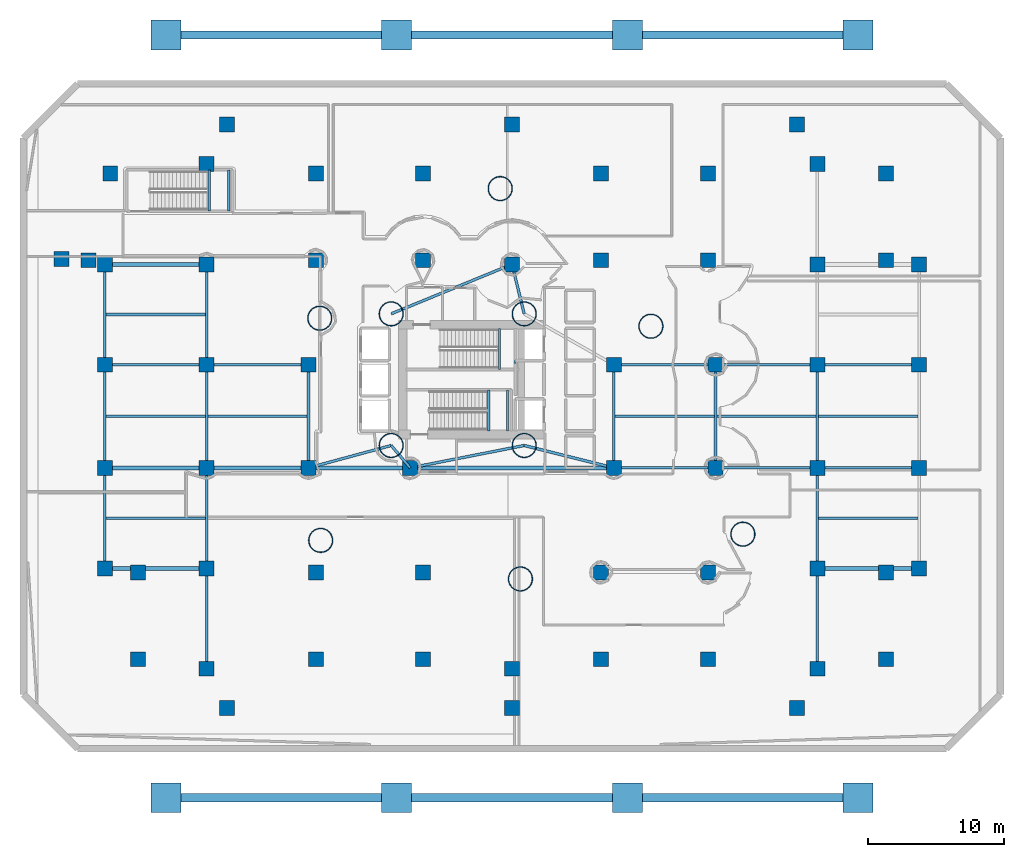
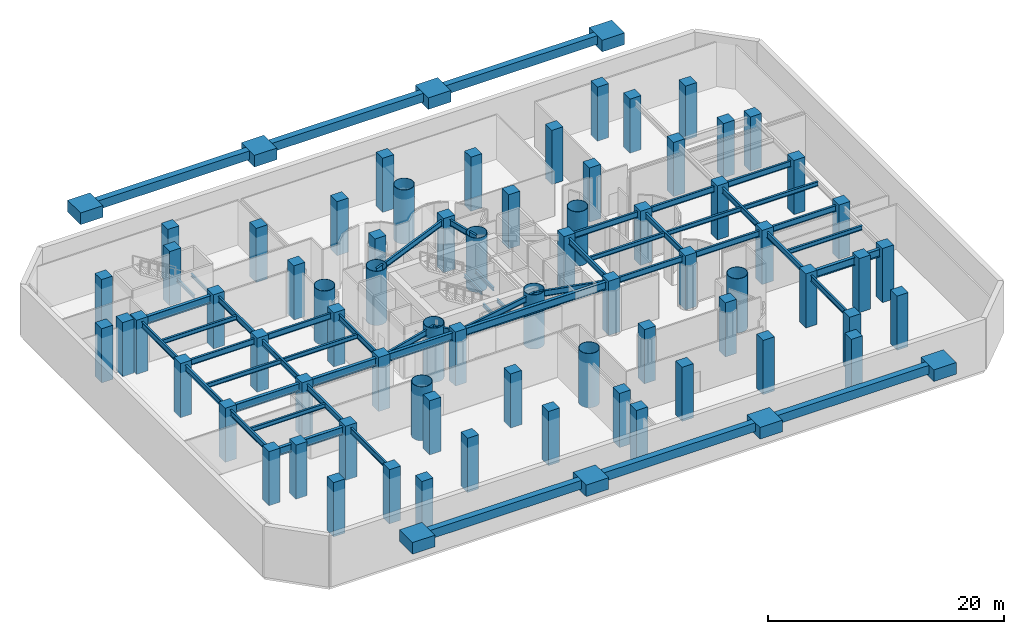
# One storey, part 1 of 11: 70 columns, 48 beams, 14 footings.
"""IFC4 building model written with IfcOpenShell, lengths in metres."""

from ifc_helpers import new_model, si_unit, direction, frame, origin, origin_2d, place, context, subcontext, project, spatial, polyline, rectangle, hollow_circle, i_section, outline, extrude, material, material_profile, profile_set, type_object, element, save


model = new_model("IFC4")

# Units and contexts
model_context = context("Model", 3, precision=1e-05, world=origin(), true_north=direction((0.0, 1.0)))
body_context = subcontext(model_context, "Body", "Model", "MODEL_VIEW")
ifc_project = project(units=[si_unit("LENGTHUNIT", "METRE"), si_unit("AREAUNIT", "SQUARE_METRE"), si_unit("VOLUMEUNIT", "CUBIC_METRE"), si_unit("PLANEANGLEUNIT", "RADIAN"), si_unit("MASSUNIT", "GRAM", prefix="KILO")], contexts=[model_context])

# Site, building, storey
site_placement = place(None, origin())
site = spatial("IfcSite", under=ifc_project, at=site_placement, CompositionType="ELEMENT")
building_placement = place(site_placement, origin())
building = spatial("IfcBuilding", under=site, at=building_placement, Name="Qianvela Tower", CompositionType="ELEMENT")
storey_placement = place(building_placement, frame((0.0, 0.0, -5.60009765625)))
storey = spatial("IfcBuildingStorey", under=building, at=storey_placement, Name="B01", CompositionType="ELEMENT", Elevation=-5.60009765625)

# Footings
ifc_material_1 = material(Name="Concrete C50", Category="concrete")
footing_type_1 = type_object("IfcFootingType", Name="FT-GB-600x900", PredefinedType="FOOTING_BEAM", material=ifc_material_1)
footing_1_placement = place(storey_placement, frame((0.0, 0.0, 4.5)))
element("IfcFooting", 1, at=footing_1_placement, inside=storey, type_object=footing_type_1, Name="B01 Continuous Forecourt Ground Beam S1", PredefinedType="FOOTING_BEAM", context=body_context, shape_type="SweptSolid", body=[
    extrude(outline(polyline([(13.10009765625, -2.39990234375), (27.89990234375, -2.39990234375), (27.89990234375, -1.800048828125), (13.10009765625, -1.800048828125), (13.10009765625, -2.39990234375)])), origin(), (0.0, 0.0, 1.0), 0.900146484375),
])
footing_2_placement = place(storey_placement, frame((0.0, 0.0, 4.5)))
element("IfcFooting", 2, at=footing_2_placement, inside=storey, type_object=footing_type_1, Name="B01 Continuous Forecourt Ground Beam S2", PredefinedType="FOOTING_BEAM", context=body_context, shape_type="SweptSolid", body=[
    extrude(outline(polyline([(30.10009765625, -2.39990234375), (44.89990234375, -2.39990234375), (44.89990234375, -1.800048828125), (30.10009765625, -1.800048828125), (30.10009765625, -2.39990234375)])), origin(), (0.0, 0.0, 1.0), 0.900146484375),
])
footing_3_placement = place(storey_placement, frame((0.0, 0.0, 4.5)))
element("IfcFooting", 3, at=footing_3_placement, inside=storey, type_object=footing_type_1, Name="B01 Continuous Forecourt Ground Beam S3", PredefinedType="FOOTING_BEAM", context=body_context, shape_type="SweptSolid", body=[
    extrude(outline(polyline([(47.10009765625, -2.39990234375), (61.89990234375, -2.39990234375), (61.89990234375, -1.800048828125), (47.10009765625, -1.800048828125), (47.10009765625, -2.39990234375)])), origin(), (0.0, 0.0, 1.0), 0.900146484375),
])
footing_4_placement = place(storey_placement, frame((0.0, 0.0, 4.5)))
element("IfcFooting", 4, at=footing_4_placement, inside=storey, type_object=footing_type_1, Name="B01 Continuous Forecourt Ground Beam N1", PredefinedType="FOOTING_BEAM", context=body_context, shape_type="SweptSolid", body=[
    extrude(outline(polyline([(13.10009765625, 53.800048828125), (27.89990234375, 53.800048828125), (27.89990234375, 54.39990234375), (13.10009765625, 54.39990234375), (13.10009765625, 53.800048828125)])), origin(), (0.0, 0.0, 1.0), 0.900146484375),
])
footing_5_placement = place(storey_placement, frame((0.0, 0.0, 4.5)))
element("IfcFooting", 5, at=footing_5_placement, inside=storey, type_object=footing_type_1, Name="B01 Continuous Forecourt Ground Beam N2", PredefinedType="FOOTING_BEAM", context=body_context, shape_type="SweptSolid", body=[
    extrude(outline(polyline([(30.10009765625, 53.800048828125), (44.89990234375, 53.800048828125), (44.89990234375, 54.39990234375), (30.10009765625, 54.39990234375), (30.10009765625, 53.800048828125)])), origin(), (0.0, 0.0, 1.0), 0.900146484375),
])
footing_6_placement = place(storey_placement, frame((0.0, 0.0, 4.5)))
element("IfcFooting", 6, at=footing_6_placement, inside=storey, type_object=footing_type_1, Name="B01 Continuous Forecourt Ground Beam N3", PredefinedType="FOOTING_BEAM", context=body_context, shape_type="SweptSolid", body=[
    extrude(outline(polyline([(47.10009765625, 53.800048828125), (61.89990234375, 53.800048828125), (61.89990234375, 54.39990234375), (47.10009765625, 54.39990234375), (47.10009765625, 53.800048828125)])), origin(), (0.0, 0.0, 1.0), 0.900146484375),
])
ifc_material_2 = material(Name="Concrete C50", Category="concrete")
footing_type_2 = type_object("IfcFootingType", Name="FT-PAD-2200", PredefinedType="PAD_FOOTING", material=ifc_material_2)
for number, where, z_axis, x_axis, name in (
    (7, (12.0, -2.10009765625, 4.2001953125), (0.0, 0.0, 1.0), (1.0, 0.0, 0.0), "B01 Concourse Forecourt Pad Footing S1"),
    (8, (29.0, -2.10009765625, 4.2001953125), (0.0, 0.0, 1.0), (1.0, 0.0, 0.0), "B01 Concourse Forecourt Pad Footing S2"),
    (9, (46.0, -2.10009765625, 4.2001953125), (0.0, 0.0, 1.0), (1.0, 0.0, 0.0), "B01 Concourse Forecourt Pad Footing S3"),
    (10, (63.0, -2.10009765625, 4.2001953125), (0.0, 0.0, 1.0), (1.0, 0.0, 0.0), "B01 Concourse Forecourt Pad Footing S4"),
    (11, (12.0, 54.10009765625, 4.2001953125), (0.0, 0.0, 1.0), (1.0, 0.0, 0.0), "B01 Concourse Forecourt Pad Footing N1"),
    (12, (29.0, 54.10009765625, 4.2001953125), (0.0, 0.0, 1.0), (1.0, 0.0, 0.0), "B01 Concourse Forecourt Pad Footing N2"),
    (13, (46.0, 54.10009765625, 4.2001953125), (0.0, 0.0, 1.0), (1.0, 0.0, 0.0), "B01 Concourse Forecourt Pad Footing N3"),
    (14, (63.0, 54.10009765625, 4.2001953125), (0.0, 0.0, 1.0), (1.0, 0.0, 0.0), "B01 Concourse Forecourt Pad Footing N4"),
):
    element("IfcFooting", number, at=place(storey_placement, frame(where, z_axis=z_axis, x_axis=x_axis)), inside=storey, type_object=footing_type_2, Name=name, PredefinedType="PAD_FOOTING", context=body_context, shape_type="SweptSolid", body=[
        extrude(rectangle(XDim=2.199951171875, YDim=2.199951171875, at=origin_2d()), origin(), (0.0, 0.0, 1.0), 1.199951171875),
    ])

# Columns
ifc_material_3 = material(Name="Steel Q420GJC", Category="steel")
ifc_material_profile_1 = material_profile(ifc_material_3, hollow_circle(Radius=0.89990234375, WallThickness=0.044921875, at=origin_2d()), Name="CFT-1800x45")
ifc_profile_set_1 = profile_set([ifc_material_profile_1], Name="Steel Q420GJC")
column_type_1 = type_object("IfcColumnType", Name="COL-CFT-1800x45", PredefinedType="COLUMN", material=ifc_profile_set_1)
for number, where, z_axis, x_axis, name in (
    (15, (28.60009765625, 33.550048828125, 0.0), (0.0, 0.0, 1.0), (1.0, 0.0, 0.0), "B01 Core Corner Mega-Column CC-NW"),
    (16, (28.60009765625, 23.85009765625, 0.0), (0.0, 0.0, 1.0), (1.0, 0.0, 0.0), "B01 Core Corner Mega-Column CC-SW"),
    (17, (38.39990234375, 33.550048828125, 0.0), (0.0, 0.0, 1.0), (1.0, 0.0, 0.0), "B01 Core Corner Mega-Column CC-NE"),
    (18, (38.39990234375, 23.85009765625, 0.0), (0.0, 0.0, 1.0), (1.0, 0.0, 0.0), "B01 Core Corner Mega-Column CC-SE"),
    (19, (54.511962890625, 17.31689453125, 0.0), (0.0, 0.0, 1.0), (1.0, 0.0, 0.0), "B01 Tower Base CFT Mega-Column C1"),
    (20, (47.736083984375, 32.636962890625, 0.0), (0.0, 0.0, 1.0), (1.0, 0.0, 0.0), "B01 Tower Base CFT Mega-Column C2"),
    (21, (36.632080078125, 42.778076171875, 0.0), (0.0, 0.0, 1.0), (1.0, 0.0, 0.0), "B01 Tower Base CFT Mega-Column C3"),
    (22, (23.337890625, 33.22802734375, 0.0), (0.0, 0.0, 1.0), (1.0, 0.0, 0.0), "B01 Tower Base CFT Mega-Column C4"),
    (23, (23.404052734375, 16.860107421875, 0.0), (0.0, 0.0, 1.0), (1.0, 0.0, 0.0), "B01 Tower Base CFT Mega-Column C5"),
    (24, (38.1201171875, 14.01611328125, 0.0), (0.0, 0.0, 1.0), (1.0, 0.0, 0.0), "B01 Tower Base CFT Mega-Column C6"),
):
    element("IfcColumn", number, at=place(storey_placement, frame(where, z_axis=z_axis, x_axis=x_axis)), inside=storey, type_object=column_type_1, Name=name, PredefinedType="COLUMN", context=body_context, shape_type="SweptSolid", body=[
        extrude(hollow_circle(Radius=0.89990234375, WallThickness=0.044921875, at=origin_2d()), origin(), (0.0, 0.0, 1.0), 5.60009765625),
    ])
ifc_material_4 = material(Name="Concrete C60", Category="concrete")
ifc_material_profile_2 = material_profile(ifc_material_4, rectangle(XDim=1.10009765625, YDim=1.10009765625, at=origin_2d()), Name="RC-COL-1100x1100")
ifc_profile_set_2 = profile_set([ifc_material_profile_2], Name="Concrete C60")
column_type_2 = type_object("IfcColumnType", Name="COL-RC-1100", PredefinedType="COLUMN", material=ifc_profile_set_2)
for number, where, z_axis, x_axis, name in (
    (25, (9.955322265625, 8.10009765625, 0.0), (0.0, 0.0, 1.0), (1.0, 0.0, 0.0), "B01 Concourse Colonnade Column VC-S1-L-B1"),
    (26, (9.955322265625, 14.5, 0.0), (0.0, 0.0, 1.0), (1.0, 0.0, 0.0), "B01 Concourse Colonnade Column VC-S1-L-B2"),
    (27, (23.044677734375, 8.10009765625, 0.0), (0.0, 0.0, 1.0), (1.0, 0.0, 0.0), "B01 Concourse Colonnade Column VC-S1-R-B1"),
    (28, (23.044677734375, 14.5, 0.0), (0.0, 0.0, 1.0), (1.0, 0.0, 0.0), "B01 Concourse Colonnade Column VC-S1-R-B2"),
    (29, (30.955322265625, 8.10009765625, 0.0), (0.0, 0.0, 1.0), (1.0, 0.0, 0.0), "B01 Concourse Colonnade Column VC-S2-L-B1"),
    (30, (30.955322265625, 14.5, 0.0), (0.0, 0.0, 1.0), (1.0, 0.0, 0.0), "B01 Concourse Colonnade Column VC-S2-L-B2"),
    (31, (44.044677734375, 8.10009765625, 0.0), (0.0, 0.0, 1.0), (1.0, 0.0, 0.0), "B01 Concourse Colonnade Column VC-S2-R-B1"),
    (32, (44.044677734375, 14.5, 0.0), (0.0, 0.0, 1.0), (1.0, 0.0, 0.0), "B01 Concourse Colonnade Column VC-S2-R-B2"),
    (33, (51.955322265625, 8.10009765625, 0.0), (0.0, 0.0, 1.0), (1.0, 0.0, 0.0), "B01 Concourse Colonnade Column VC-S3-L-B1"),
    (34, (51.955322265625, 14.5, 0.0), (0.0, 0.0, 1.0), (1.0, 0.0, 0.0), "B01 Concourse Colonnade Column VC-S3-L-B2"),
    (35, (65.044677734375, 8.10009765625, 0.0), (0.0, 0.0, 1.0), (1.0, 0.0, 0.0), "B01 Concourse Colonnade Column VC-S3-R-B1"),
    (36, (65.044677734375, 14.5, 0.0), (0.0, 0.0, 1.0), (1.0, 0.0, 0.0), "B01 Concourse Colonnade Column VC-S3-R-B2"),
    (37, (7.89990234375, 43.89990234375, 0.0), (0.0, 0.0, 1.0), (1.0, 0.0, 0.0), "B01 Concourse Colonnade Column VC-N1-L-B1"),
    (38, (6.300048828125, 37.5, 0.0), (0.0, 0.0, 1.0), (1.0, 0.0, 0.0), "B01 Concourse Colonnade Column VC-N1-L-B2"),
    (39, (23.044677734375, 43.89990234375, 0.0), (0.0, 0.0, 1.0), (1.0, 0.0, 0.0), "B01 Concourse Colonnade Column VC-N1-R-B1"),
    (40, (23.044677734375, 37.5, 0.0), (0.0, 0.0, 1.0), (1.0, 0.0, 0.0), "B01 Concourse Colonnade Column VC-N1-R-B2"),
    (41, (30.955322265625, 43.89990234375, 0.0), (0.0, 0.0, 1.0), (1.0, 0.0, 0.0), "B01 Concourse Colonnade Column VC-N2-L-B1"),
    (42, (30.955322265625, 37.5, 0.0), (0.0, 0.0, 1.0), (1.0, 0.0, 0.0), "B01 Concourse Colonnade Column VC-N2-L-B2"),
    (43, (44.044677734375, 43.89990234375, 0.0), (0.0, 0.0, 1.0), (1.0, 0.0, 0.0), "B01 Concourse Colonnade Column VC-N2-R-B1"),
    (44, (44.044677734375, 37.5, 0.0), (0.0, 0.0, 1.0), (1.0, 0.0, 0.0), "B01 Concourse Colonnade Column VC-N2-R-B2"),
    (45, (51.955322265625, 43.89990234375, 0.0), (0.0, 0.0, 1.0), (1.0, 0.0, 0.0), "B01 Concourse Colonnade Column VC-N3-L-B1"),
    (46, (51.955322265625, 37.5, 0.0), (0.0, 0.0, 1.0), (1.0, 0.0, 0.0), "B01 Concourse Colonnade Column VC-N3-L-B2"),
    (47, (65.044677734375, 43.89990234375, 0.0), (0.0, 0.0, 1.0), (1.0, 0.0, 0.0), "B01 Concourse Colonnade Column VC-N3-R-B1"),
    (48, (65.044677734375, 37.5, 0.0), (0.0, 0.0, 1.0), (1.0, 0.0, 0.0), "B01 Concourse Colonnade Column VC-N3-R-B2"),
    (49, (7.5, 14.800048828125, 0.0), (0.0, 0.0, 1.0), (1.0, 0.0, 0.0), "B01 Podium Grid Column P01"),
    (50, (7.5, 22.199951171875, 0.0), (0.0, 0.0, 1.0), (1.0, 0.0, 0.0), "B01 Podium Grid Column P02"),
    (51, (7.5, 29.800048828125, 0.0), (0.0, 0.0, 1.0), (1.0, 0.0, 0.0), "B01 Podium Grid Column P03"),
    (52, (7.5, 37.199951171875, 0.0), (0.0, 0.0, 1.0), (1.0, 0.0, 0.0), "B01 Podium Grid Column P04"),
    (53, (15.0, 7.39990234375, 0.0), (0.0, 0.0, 1.0), (1.0, 0.0, 0.0), "B01 Podium Grid Column P05"),
    (54, (15.0, 14.800048828125, 0.0), (0.0, 0.0, 1.0), (1.0, 0.0, 0.0), "B01 Podium Grid Column P06"),
    (55, (15.0, 22.199951171875, 0.0), (0.0, 0.0, 1.0), (1.0, 0.0, 0.0), "B01 Podium Grid Column P07"),
    (56, (15.0, 29.800048828125, 0.0), (0.0, 0.0, 1.0), (1.0, 0.0, 0.0), "B01 Podium Grid Column P08"),
    (57, (15.0, 37.199951171875, 0.0), (0.0, 0.0, 1.0), (1.0, 0.0, 0.0), "B01 Podium Grid Column P09"),
    (58, (15.0, 44.60009765625, 0.0), (0.0, 0.0, 1.0), (1.0, 0.0, 0.0), "B01 Podium Grid Column P10"),
    (59, (22.5, 22.199951171875, 0.0), (0.0, 0.0, 1.0), (1.0, 0.0, 0.0), "B01 Podium Grid Column P13"),
    (60, (22.5, 29.800048828125, 0.0), (0.0, 0.0, 1.0), (1.0, 0.0, 0.0), "B01 Podium Grid Column P14"),
    (61, (30.0, 22.199951171875, 0.0), (0.0, 0.0, 1.0), (1.0, 0.0, 0.0), "B01 Podium Grid Column P19"),
    (62, (37.5, 7.39990234375, 0.0), (0.0, 0.0, 1.0), (1.0, 0.0, 0.0), "B01 Podium Grid Column P22"),
    (63, (37.5, 37.199951171875, 0.0), (0.0, 0.0, 1.0), (1.0, 0.0, 0.0), "B01 Podium Grid Column P24"),
    (64, (45.0, 22.199951171875, 0.0), (0.0, 0.0, 1.0), (1.0, 0.0, 0.0), "B01 Podium Grid Column P28"),
    (65, (45.0, 29.800048828125, 0.0), (0.0, 0.0, 1.0), (1.0, 0.0, 0.0), "B01 Podium Grid Column P29"),
    (66, (52.5, 22.199951171875, 0.0), (0.0, 0.0, 1.0), (1.0, 0.0, 0.0), "B01 Podium Grid Column P34"),
    (67, (52.5, 29.800048828125, 0.0), (0.0, 0.0, 1.0), (1.0, 0.0, 0.0), "B01 Podium Grid Column P35"),
    (68, (60.0, 7.39990234375, 0.0), (0.0, 0.0, 1.0), (1.0, 0.0, 0.0), "B01 Podium Grid Column P38"),
    (69, (60.0, 14.800048828125, 0.0), (0.0, 0.0, 1.0), (1.0, 0.0, 0.0), "B01 Podium Grid Column P39"),
    (70, (60.0, 22.199951171875, 0.0), (0.0, 0.0, 1.0), (1.0, 0.0, 0.0), "B01 Podium Grid Column P40"),
    (71, (60.0, 29.800048828125, 0.0), (0.0, 0.0, 1.0), (1.0, 0.0, 0.0), "B01 Podium Grid Column P41"),
    (72, (60.0, 37.199951171875, 0.0), (0.0, 0.0, 1.0), (1.0, 0.0, 0.0), "B01 Podium Grid Column P42"),
    (73, (60.0, 44.60009765625, 0.0), (0.0, 0.0, 1.0), (1.0, 0.0, 0.0), "B01 Podium Grid Column P43"),
    (74, (67.5, 14.800048828125, 0.0), (0.0, 0.0, 1.0), (1.0, 0.0, 0.0), "B01 Podium Grid Column P44"),
    (75, (67.5, 22.199951171875, 0.0), (0.0, 0.0, 1.0), (1.0, 0.0, 0.0), "B01 Podium Grid Column P45"),
    (76, (67.5, 29.800048828125, 0.0), (0.0, 0.0, 1.0), (1.0, 0.0, 0.0), "B01 Podium Grid Column P46"),
    (77, (67.5, 37.199951171875, 0.0), (0.0, 0.0, 1.0), (1.0, 0.0, 0.0), "B01 Podium Grid Column P47"),
    (78, (16.5, 4.5, 0.0), (0.0, 0.0, 1.0), (1.0, 0.0, 0.0), "B01 Concourse V-Column Pier VC-S1"),
    (79, (37.5, 4.5, 0.0), (0.0, 0.0, 1.0), (1.0, 0.0, 0.0), "B01 Concourse V-Column Pier VC-S2"),
    (80, (58.5, 4.5, 0.0), (0.0, 0.0, 1.0), (1.0, 0.0, 0.0), "B01 Concourse V-Column Pier VC-S3"),
    (81, (16.5, 47.5, 0.0), (0.0, 0.0, 1.0), (1.0, 0.0, 0.0), "B01 Concourse V-Column Pier VC-N1"),
    (82, (37.5, 47.5, 0.0), (0.0, 0.0, 1.0), (1.0, 0.0, 0.0), "B01 Concourse V-Column Pier VC-N2"),
    (83, (58.5, 47.5, 0.0), (0.0, 0.0, 1.0), (1.0, 0.0, 0.0), "B01 Concourse V-Column Pier VC-N3"),
    (84, (4.302978515625, 37.60009765625, 0.0), (0.0, 0.0, 1.0), (1.0, 0.0, 0.0), "B01 Concourse Back-Anchor Column VC-N1-L"),
):
    element("IfcColumn", number, at=place(storey_placement, frame(where, z_axis=z_axis, x_axis=x_axis)), inside=storey, type_object=column_type_2, Name=name, PredefinedType="COLUMN", context=body_context, shape_type="SweptSolid", body=[
        extrude(rectangle(XDim=1.10009765625, YDim=1.10009765625, at=origin_2d()), origin(), (0.0, 0.0, 1.0), 5.60009765625),
    ])

# Beams
ifc_material_5 = material(Name="Steel Q355B", Category="steel")
ifc_material_profile_3 = material_profile(ifc_material_5, i_section(OverallWidth=0.175048828125, OverallDepth=0.35009765625, WebThickness=0.007080078125, FlangeThickness=0.010986328125, at=origin_2d()), Name="HN350x175x7x11")
ifc_profile_set_3 = profile_set([ifc_material_profile_3], Name="Steel Q355B")
beam_type_1 = type_object("IfcBeamType", Name="BM-HN350-JOIST", PredefinedType="JOIST", material=ifc_profile_set_3)
for number, where, z_axis, x_axis, name in (
    (85, (36.580078125, 29.4599609375, 2.425048828125), (0.0, 1.0, 0.0), (-1.0, 0.0, 0.0), "B01 Stair ST-1 Landing Support Beam 1.1"),
    (86, (37.719970703125, 29.4599609375, 2.425048828125), (0.0, 1.0, 0.0), (-1.0, 0.0, 0.0), "B01 Stair ST-1 Landing Support Beam 1.2"),
    (87, (35.800048828125, 24.919921875, 2.425048828125), (0.0, 1.0, 0.0), (-1.0, 0.0, 0.0), "B01 Stair ST-2 Landing Support Beam 1.1"),
    (88, (37.169921875, 24.919921875, 2.425048828125), (0.0, 1.0, 0.0), (-1.0, 0.0, 0.0), "B01 Stair ST-2 Landing Support Beam 1.2"),
):
    element("IfcBeam", number, at=place(storey_placement, frame(where, z_axis=z_axis, x_axis=x_axis)), inside=storey, type_object=beam_type_1, Name=name, PredefinedType="JOIST", context=body_context, shape_type="SweptSolid", body=[
        extrude(i_section(OverallWidth=0.175048828125, OverallDepth=0.35009765625, WebThickness=0.007080078125, FlangeThickness=0.010986328125, at=origin_2d()), origin(), (0.0, 0.0, 1.0), 3.02001953125),
    ])
for number, where, z_axis, x_axis, name in (
    (89, (15.199951171875, 41.1201171875, 2.425048828125), (0.0, 1.0, 0.0), (-1.0, 0.0, 0.0), "B01 Stair ST-3 Landing Support Beam 1.1"),
    (90, (16.6201171875, 41.1201171875, 2.425048828125), (0.0, 1.0, 0.0), (-1.0, 0.0, 0.0), "B01 Stair ST-3 Landing Support Beam 1.2"),
):
    element("IfcBeam", number, at=place(storey_placement, frame(where, z_axis=z_axis, x_axis=x_axis)), inside=storey, type_object=beam_type_1, Name=name, PredefinedType="JOIST", context=body_context, shape_type="SweptSolid", body=[
        extrude(i_section(OverallWidth=0.175048828125, OverallDepth=0.35009765625, WebThickness=0.007080078125, FlangeThickness=0.010986328125, at=origin_2d()), origin(), (0.0, 0.0, 1.0), 3.019775390625),
    ])
ifc_material_6 = material(Name="Steel Q355B", Category="steel")
ifc_material_profile_4 = material_profile(ifc_material_6, i_section(OverallWidth=0.199951171875, OverallDepth=0.449951171875, WebThickness=0.009033203125, FlangeThickness=0.013916015625, at=origin_2d()), Name="HN450x200x9x14")
ifc_profile_set_4 = profile_set([ifc_material_profile_4], Name="Steel Q355B")
beam_type_2 = type_object("IfcBeamType", Name="BM-HN450-JOIST", PredefinedType="JOIST", material=ifc_profile_set_4)
for number, where, z_axis, x_axis, name in (
    (91, (7.595947265625, 18.5, 5.072998046875), (1.0, 0.0, 0.0), (0.0, 1.0, 0.0), "B01 Secondary Floor Joist 44"),
    (92, (7.595947265625, 26.0, 5.072998046875), (1.0, 0.0, 0.0), (0.0, 1.0, 0.0), "B01 Secondary Floor Joist 45"),
    (93, (7.595947265625, 33.5, 5.072998046875), (1.0, 0.0, 0.0), (0.0, 1.0, 0.0), "B01 Secondary Floor Joist 46"),
    (94, (15.095947265625, 26.0, 5.072998046875), (1.0, 0.0, 0.0), (0.0, 1.0, 0.0), "B01 Secondary Floor Joist 47"),
    (95, (45.095947265625, 26.0, 5.072998046875), (1.0, 0.0, 0.0), (0.0, 1.0, 0.0), "B01 Secondary Floor Joist 48"),
    (96, (52.595947265625, 26.0, 5.072998046875), (1.0, 0.0, 0.0), (0.0, 1.0, 0.0), "B01 Secondary Floor Joist 49"),
    (97, (60.095947265625, 18.5, 5.072998046875), (1.0, 0.0, 0.0), (0.0, 1.0, 0.0), "B01 Secondary Floor Joist 50"),
    (98, (60.095947265625, 26.0, 5.072998046875), (1.0, 0.0, 0.0), (0.0, 1.0, 0.0), "B01 Secondary Floor Joist 51"),
):
    element("IfcBeam", number, at=place(storey_placement, frame(where, z_axis=z_axis, x_axis=x_axis)), inside=storey, type_object=beam_type_2, Name=name, PredefinedType="JOIST", context=body_context, shape_type="SweptSolid", body=[
        extrude(i_section(OverallWidth=0.199951171875, OverallDepth=0.449951171875, WebThickness=0.009033203125, FlangeThickness=0.013916015625, at=origin_2d()), origin(), (0.0, 0.0, 1.0), 7.30810546875),
    ])
ifc_material_7 = material(Name="Steel Q355B", Category="steel")
ifc_material_profile_5 = material_profile(ifc_material_7, i_section(OverallWidth=0.199951171875, OverallDepth=0.60009765625, WebThickness=0.010986328125, FlangeThickness=0.01708984375, at=origin_2d()), Name="HN600x200x11x17")
ifc_profile_set_5 = profile_set([ifc_material_profile_5], Name="Steel Q355B")
beam_type_3 = type_object("IfcBeamType", Name="BM-HN600-GIRD", PredefinedType="BEAM", material=ifc_profile_set_5)
for number, where, z_axis, x_axis, name in (
    (99, (45.0, 22.199951171875, 4.998046875), (1.0, 0.0, 0.0), (0.0, 1.0, 0.0), "B01 East-West Grid Girder 7"),
    (100, (52.5, 22.199951171875, 4.998046875), (1.0, 0.0, 0.0), (0.0, 1.0, 0.0), "B01 East-West Grid Girder 8"),
    (101, (60.0, 22.199951171875, 4.998046875), (1.0, 0.0, 0.0), (0.0, 1.0, 0.0), "B01 East-West Grid Girder 9"),
    (102, (7.5, 29.800048828125, 4.998046875), (1.0, 0.0, 0.0), (0.0, 1.0, 0.0), "B01 East-West Grid Girder 10"),
    (103, (15.0, 29.800048828125, 4.998046875), (1.0, 0.0, 0.0), (0.0, 1.0, 0.0), "B01 East-West Grid Girder 11"),
    (104, (45.0, 29.800048828125, 4.998046875), (1.0, 0.0, 0.0), (0.0, 1.0, 0.0), "B01 East-West Grid Girder 12"),
    (105, (52.5, 29.800048828125, 4.998046875), (1.0, 0.0, 0.0), (0.0, 1.0, 0.0), "B01 East-West Grid Girder 13"),
    (106, (60.0, 29.800048828125, 4.998046875), (1.0, 0.0, 0.0), (0.0, 1.0, 0.0), "B01 East-West Grid Girder 14"),
):
    element("IfcBeam", number, at=place(storey_placement, frame(where, z_axis=z_axis, x_axis=x_axis)), inside=storey, type_object=beam_type_3, Name=name, PredefinedType="BEAM", context=body_context, shape_type="SweptSolid", body=[
        extrude(i_section(OverallWidth=0.199951171875, OverallDepth=0.60009765625, WebThickness=0.010986328125, FlangeThickness=0.01708984375, at=origin_2d()), origin(), (0.0, 0.0, 1.0), 7.5),
    ])
beam_1_placement = place(storey_placement, frame((7.5, 14.800048828125, 4.998046875), z_axis=(0.0, 1.0, 0.0), x_axis=(-1.0, 0.0, 0.0)))
element("IfcBeam", 107, at=beam_1_placement, inside=storey, type_object=beam_type_3, Name="B01 North-South Grid Girder 17", PredefinedType="BEAM", context=body_context, shape_type="SweptSolid", body=[
    extrude(i_section(OverallWidth=0.199951171875, OverallDepth=0.60009765625, WebThickness=0.010986328125, FlangeThickness=0.01708984375, at=origin_2d()), origin(), (0.0, 0.0, 1.0), 7.39990234375),
])
beam_2_placement = place(storey_placement, frame((7.5, 22.199951171875, 4.998046875), z_axis=(0.0, 1.0, 0.0), x_axis=(-1.0, 0.0, 0.0)))
element("IfcBeam", 108, at=beam_2_placement, inside=storey, type_object=beam_type_3, Name="B01 North-South Grid Girder 18", PredefinedType="BEAM", context=body_context, shape_type="SweptSolid", body=[
    extrude(i_section(OverallWidth=0.199951171875, OverallDepth=0.60009765625, WebThickness=0.010986328125, FlangeThickness=0.01708984375, at=origin_2d()), origin(), (0.0, 0.0, 1.0), 7.60009765625),
])
beam_3_placement = place(storey_placement, frame((7.5, 29.800048828125, 4.998046875), z_axis=(0.0, 1.0, 0.0), x_axis=(-1.0, 0.0, 0.0)))
element("IfcBeam", 109, at=beam_3_placement, inside=storey, type_object=beam_type_3, Name="B01 North-South Grid Girder 19", PredefinedType="BEAM", context=body_context, shape_type="SweptSolid", body=[
    extrude(i_section(OverallWidth=0.199951171875, OverallDepth=0.60009765625, WebThickness=0.010986328125, FlangeThickness=0.01708984375, at=origin_2d()), origin(), (0.0, 0.0, 1.0), 7.39990234375),
])
beam_4_placement = place(storey_placement, frame((15.0, 7.39990234375, 4.998046875), z_axis=(0.0, 1.0, 0.0), x_axis=(-1.0, 0.0, 0.0)))
element("IfcBeam", 110, at=beam_4_placement, inside=storey, type_object=beam_type_3, Name="B01 North-South Grid Girder 20", PredefinedType="BEAM", context=body_context, shape_type="SweptSolid", body=[
    extrude(i_section(OverallWidth=0.199951171875, OverallDepth=0.60009765625, WebThickness=0.010986328125, FlangeThickness=0.01708984375, at=origin_2d()), origin(), (0.0, 0.0, 1.0), 7.400146484375),
])
beam_5_placement = place(storey_placement, frame((15.0, 14.800048828125, 4.998046875), z_axis=(0.0, 1.0, 0.0), x_axis=(-1.0, 0.0, 0.0)))
element("IfcBeam", 111, at=beam_5_placement, inside=storey, type_object=beam_type_3, Name="B01 North-South Grid Girder 21", PredefinedType="BEAM", context=body_context, shape_type="SweptSolid", body=[
    extrude(i_section(OverallWidth=0.199951171875, OverallDepth=0.60009765625, WebThickness=0.010986328125, FlangeThickness=0.01708984375, at=origin_2d()), origin(), (0.0, 0.0, 1.0), 7.39990234375),
])
beam_6_placement = place(storey_placement, frame((15.0, 22.199951171875, 4.998046875), z_axis=(0.0, 1.0, 0.0), x_axis=(-1.0, 0.0, 0.0)))
element("IfcBeam", 112, at=beam_6_placement, inside=storey, type_object=beam_type_3, Name="B01 North-South Grid Girder 22", PredefinedType="BEAM", context=body_context, shape_type="SweptSolid", body=[
    extrude(i_section(OverallWidth=0.199951171875, OverallDepth=0.60009765625, WebThickness=0.010986328125, FlangeThickness=0.01708984375, at=origin_2d()), origin(), (0.0, 0.0, 1.0), 7.60009765625),
])
beam_7_placement = place(storey_placement, frame((15.0, 29.800048828125, 4.998046875), z_axis=(0.0, 1.0, 0.0), x_axis=(-1.0, 0.0, 0.0)))
element("IfcBeam", 113, at=beam_7_placement, inside=storey, type_object=beam_type_3, Name="B01 North-South Grid Girder 23", PredefinedType="BEAM", context=body_context, shape_type="SweptSolid", body=[
    extrude(i_section(OverallWidth=0.199951171875, OverallDepth=0.60009765625, WebThickness=0.010986328125, FlangeThickness=0.01708984375, at=origin_2d()), origin(), (0.0, 0.0, 1.0), 7.39990234375),
])
for number, where, z_axis, x_axis, name in (
    (114, (22.5, 22.199951171875, 4.998046875), (0.0, 1.0, 0.0), (-1.0, 0.0, 0.0), "B01 North-South Grid Girder 25"),
    (115, (45.0, 22.199951171875, 4.998046875), (0.0, 1.0, 0.0), (-1.0, 0.0, 0.0), "B01 North-South Grid Girder 26"),
    (116, (52.5, 22.199951171875, 4.998046875), (0.0, 1.0, 0.0), (-1.0, 0.0, 0.0), "B01 North-South Grid Girder 27"),
):
    element("IfcBeam", number, at=place(storey_placement, frame(where, z_axis=z_axis, x_axis=x_axis)), inside=storey, type_object=beam_type_3, Name=name, PredefinedType="BEAM", context=body_context, shape_type="SweptSolid", body=[
        extrude(i_section(OverallWidth=0.199951171875, OverallDepth=0.60009765625, WebThickness=0.010986328125, FlangeThickness=0.01708984375, at=origin_2d()), origin(), (0.0, 0.0, 1.0), 7.60009765625),
    ])
beam_8_placement = place(storey_placement, frame((60.0, 7.39990234375, 4.998046875), z_axis=(0.0, 1.0, 0.0), x_axis=(-1.0, 0.0, 0.0)))
element("IfcBeam", 117, at=beam_8_placement, inside=storey, type_object=beam_type_3, Name="B01 North-South Grid Girder 28", PredefinedType="BEAM", context=body_context, shape_type="SweptSolid", body=[
    extrude(i_section(OverallWidth=0.199951171875, OverallDepth=0.60009765625, WebThickness=0.010986328125, FlangeThickness=0.01708984375, at=origin_2d()), origin(), (0.0, 0.0, 1.0), 7.400146484375),
])
beam_9_placement = place(storey_placement, frame((60.0, 14.800048828125, 4.998046875), z_axis=(0.0, 1.0, 0.0), x_axis=(-1.0, 0.0, 0.0)))
element("IfcBeam", 118, at=beam_9_placement, inside=storey, type_object=beam_type_3, Name="B01 North-South Grid Girder 29", PredefinedType="BEAM", context=body_context, shape_type="SweptSolid", body=[
    extrude(i_section(OverallWidth=0.199951171875, OverallDepth=0.60009765625, WebThickness=0.010986328125, FlangeThickness=0.01708984375, at=origin_2d()), origin(), (0.0, 0.0, 1.0), 7.39990234375),
])
beam_10_placement = place(storey_placement, frame((60.0, 22.199951171875, 4.998046875), z_axis=(0.0, 1.0, 0.0), x_axis=(-1.0, 0.0, 0.0)))
element("IfcBeam", 119, at=beam_10_placement, inside=storey, type_object=beam_type_3, Name="B01 North-South Grid Girder 30", PredefinedType="BEAM", context=body_context, shape_type="SweptSolid", body=[
    extrude(i_section(OverallWidth=0.199951171875, OverallDepth=0.60009765625, WebThickness=0.010986328125, FlangeThickness=0.01708984375, at=origin_2d()), origin(), (0.0, 0.0, 1.0), 7.60009765625),
])
beam_11_placement = place(storey_placement, frame((28.60009765625, 33.550048828125, 4.998046875), z_axis=(0.925217514763, 0.379437149441, 0.0), x_axis=(-0.379437149441, 0.925217514763, 0.0)))
element("IfcBeam", 120, at=beam_11_placement, inside=storey, type_object=beam_type_3, Name="B01 Core Tie Girder 37", PredefinedType="BEAM", context=body_context, shape_type="SweptSolid", body=[
    extrude(i_section(OverallWidth=0.199951171875, OverallDepth=0.60009765625, WebThickness=0.010986328125, FlangeThickness=0.01708984375, at=origin_2d()), origin(), (0.0, 0.0, 1.0), 9.619140625),
])
beam_12_placement = place(storey_placement, frame((28.60009765625, 23.85009765625, 4.998046875), z_axis=(0.646917812917, -0.762559730992, 0.0), x_axis=(0.762559730992, 0.646917812917, 0.0)))
element("IfcBeam", 121, at=beam_12_placement, inside=storey, type_object=beam_type_3, Name="B01 Core Tie Girder 38", PredefinedType="BEAM", context=body_context, shape_type="SweptSolid", body=[
    extrude(i_section(OverallWidth=0.199951171875, OverallDepth=0.60009765625, WebThickness=0.010986328125, FlangeThickness=0.01708984375, at=origin_2d()), origin(), (0.0, 0.0, 1.0), 2.1640625),
])
beam_13_placement = place(storey_placement, frame((28.60009765625, 23.85009765625, 4.998046875), z_axis=(-0.96530472097, -0.26112601493, 0.0), x_axis=(0.26112601493, -0.96530472097, 0.0)))
element("IfcBeam", 122, at=beam_13_placement, inside=storey, type_object=beam_type_3, Name="B01 Core Tie Girder 39", PredefinedType="BEAM", context=body_context, shape_type="SweptSolid", body=[
    extrude(i_section(OverallWidth=0.199951171875, OverallDepth=0.60009765625, WebThickness=0.010986328125, FlangeThickness=0.01708984375, at=origin_2d()), origin(), (0.0, 0.0, 1.0), 6.3193359375),
])
beam_14_placement = place(storey_placement, frame((38.39990234375, 33.550048828125, 4.998046875), z_axis=(-0.239386436846, 0.970924370821, 0.0), x_axis=(-0.970924370821, -0.239386436846, 0.0)))
element("IfcBeam", 123, at=beam_14_placement, inside=storey, type_object=beam_type_3, Name="B01 Core Tie Girder 40", PredefinedType="BEAM", context=body_context, shape_type="SweptSolid", body=[
    extrude(i_section(OverallWidth=0.199951171875, OverallDepth=0.60009765625, WebThickness=0.010986328125, FlangeThickness=0.01708984375, at=origin_2d()), origin(), (0.0, 0.0, 1.0), 3.75927734375),
])
beam_15_placement = place(storey_placement, frame((38.39990234375, 23.85009765625, 4.998046875), z_axis=(0.970138278133, -0.242552512462, 0.0), x_axis=(0.242552512462, 0.970138278133, 0.0)))
element("IfcBeam", 124, at=beam_15_placement, inside=storey, type_object=beam_type_3, Name="B01 Core Tie Girder 42", PredefinedType="BEAM", context=body_context, shape_type="SweptSolid", body=[
    extrude(i_section(OverallWidth=0.199951171875, OverallDepth=0.60009765625, WebThickness=0.010986328125, FlangeThickness=0.01708984375, at=origin_2d()), origin(), (0.0, 0.0, 1.0), 6.80322265625),
])
beam_16_placement = place(storey_placement, frame((38.39990234375, 23.85009765625, 4.998046875), z_axis=(-0.981245160169, -0.192763937615, 0.0), x_axis=(0.192763937615, -0.981245160169, 0.0)))
element("IfcBeam", 125, at=beam_16_placement, inside=storey, type_object=beam_type_3, Name="B01 Core Tie Girder 43", PredefinedType="BEAM", context=body_context, shape_type="SweptSolid", body=[
    extrude(i_section(OverallWidth=0.199951171875, OverallDepth=0.60009765625, WebThickness=0.010986328125, FlangeThickness=0.01708984375, at=origin_2d()), origin(), (0.0, 0.0, 1.0), 8.560546875),
])
ifc_material_8 = material(Name="Steel Q355B", Category="steel")
ifc_material_profile_6 = material_profile(ifc_material_8, i_section(OverallWidth=0.300048828125, OverallDepth=0.800048828125, WebThickness=0.013916015625, FlangeThickness=0.02587890625, at=origin_2d()), Name="HN800x300x14x26")
ifc_profile_set_6 = profile_set([ifc_material_profile_6], Name="Steel Q355B")
beam_type_4 = type_object("IfcBeamType", Name="BM-HN800-SPAND", PredefinedType="SPANDREL", material=ifc_profile_set_6)
for number, where, z_axis, x_axis, name in (
    (126, (7.5, 14.800048828125, 4.898193359375), (1.0, 0.0, 0.0), (0.0, 1.0, 0.0), "B01 East-West Grid Girder 1"),
    (127, (60.0, 14.800048828125, 4.898193359375), (1.0, 0.0, 0.0), (0.0, 1.0, 0.0), "B01 East-West Grid Girder 2"),
    (128, (7.5, 22.199951171875, 4.898193359375), (1.0, 0.0, 0.0), (0.0, 1.0, 0.0), "B01 East-West Grid Girder 3"),
    (129, (15.0, 22.199951171875, 4.898193359375), (1.0, 0.0, 0.0), (0.0, 1.0, 0.0), "B01 East-West Grid Girder 4"),
    (130, (22.5, 22.199951171875, 4.898193359375), (1.0, 0.0, 0.0), (0.0, 1.0, 0.0), "B01 East-West Grid Girder 5"),
):
    element("IfcBeam", number, at=place(storey_placement, frame(where, z_axis=z_axis, x_axis=x_axis)), inside=storey, type_object=beam_type_4, Name=name, PredefinedType="SPANDREL", context=body_context, shape_type="SweptSolid", body=[
        extrude(i_section(OverallWidth=0.300048828125, OverallDepth=0.800048828125, WebThickness=0.013916015625, FlangeThickness=0.02587890625, at=origin_2d()), origin(), (0.0, 0.0, 1.0), 7.5),
    ])
beam_17_placement = place(storey_placement, frame((30.0, 22.199951171875, 4.898193359375), z_axis=(1.0, 0.0, 0.0), x_axis=(0.0, 1.0, 0.0)))
element("IfcBeam", 131, at=beam_17_placement, inside=storey, type_object=beam_type_4, Name="B01 East-West Grid Girder 6", PredefinedType="SPANDREL", context=body_context, shape_type="SweptSolid", body=[
    extrude(i_section(OverallWidth=0.300048828125, OverallDepth=0.800048828125, WebThickness=0.013916015625, FlangeThickness=0.02587890625, at=origin_2d()), origin(), (0.0, 0.0, 1.0), 15.0),
])
beam_18_placement = place(storey_placement, frame((7.5, 37.199951171875, 4.898193359375), z_axis=(1.0, 0.0, 0.0), x_axis=(0.0, 1.0, 0.0)))
element("IfcBeam", 132, at=beam_18_placement, inside=storey, type_object=beam_type_4, Name="B01 East-West Grid Girder 15", PredefinedType="SPANDREL", context=body_context, shape_type="SweptSolid", body=[
    extrude(i_section(OverallWidth=0.300048828125, OverallDepth=0.800048828125, WebThickness=0.013916015625, FlangeThickness=0.02587890625, at=origin_2d()), origin(), (0.0, 0.0, 1.0), 7.5),
])

save(model, "model.ifc")
